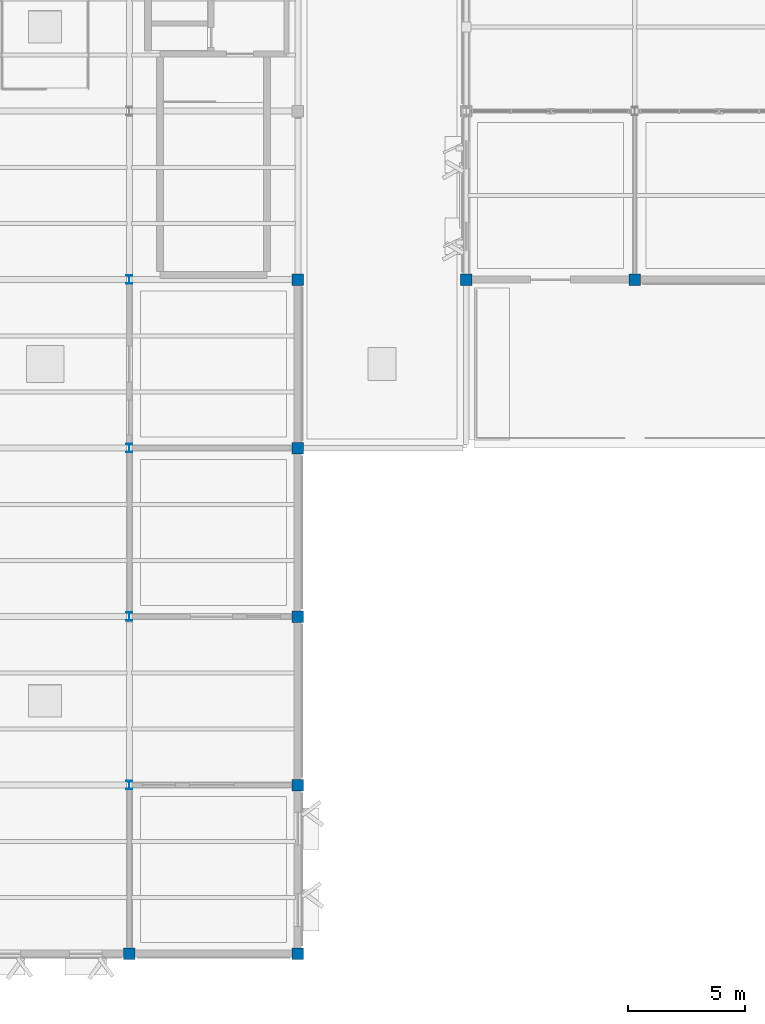
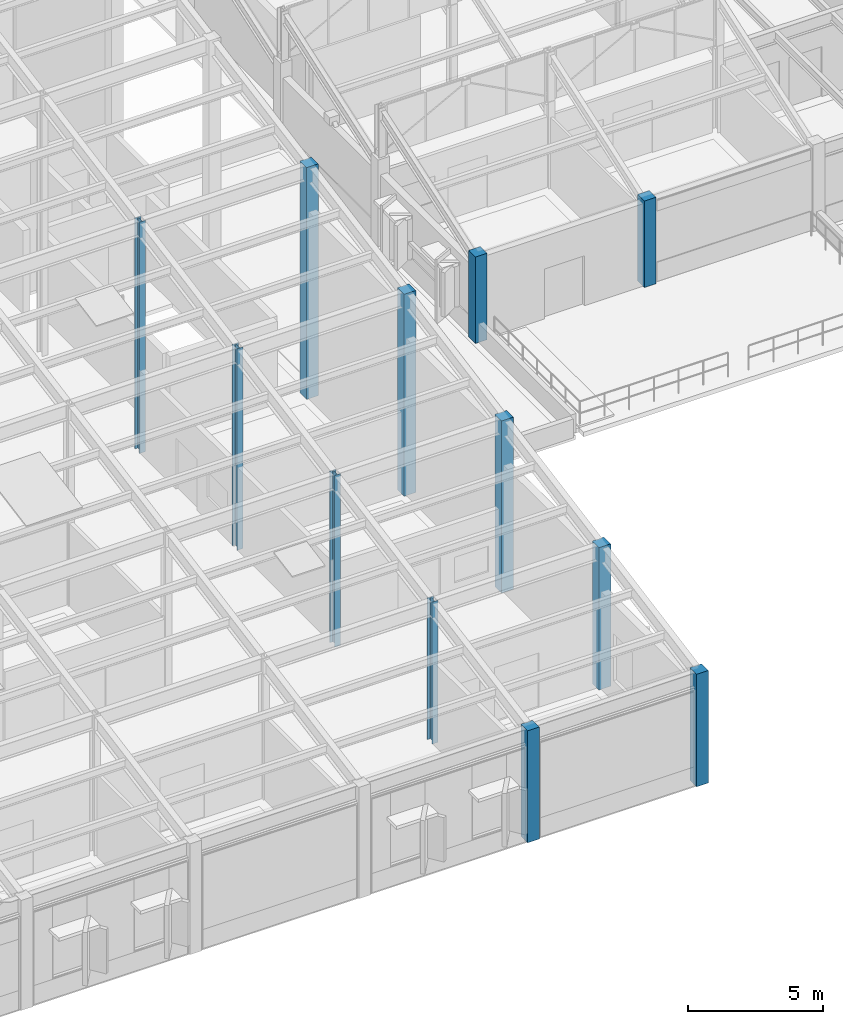
# One storey, part 5 of 82: 12 columns.
"""IFC4 building model written with IfcOpenShell, lengths in metres."""

from ifc_helpers import new_model, si_unit, direction, frame, origin, origin_2d, place, context, subcontext, project, spatial, rectangle, i_section, extrude, material, material_profile, profile_set, type_object, element, save


model = new_model("IFC4")

# Units and contexts
model_context = context("Model", 3, precision=1e-05, world=origin(), true_north=direction((0.0, 1.0)))
body_context = subcontext(model_context, "Body", "Model", "MODEL_VIEW")
ifc_project = project(units=[si_unit("LENGTHUNIT", "METRE"), si_unit("AREAUNIT", "SQUARE_METRE"), si_unit("VOLUMEUNIT", "CUBIC_METRE"), si_unit("PLANEANGLEUNIT", "RADIAN"), si_unit("MASSUNIT", "GRAM", prefix="KILO")], contexts=[model_context])

# Site, building, storey
site_placement = place(None, origin())
site = spatial("IfcSite", under=ifc_project, at=site_placement, CompositionType="ELEMENT")
building_placement = place(site_placement, origin())
building = spatial("IfcBuilding", under=site, at=building_placement, Name="Sillqori Civic Hall", CompositionType="ELEMENT")
storey_placement = place(building_placement, frame((0.0, 0.0, 14.10009765625)))
storey = spatial("IfcBuildingStorey", under=building, at=storey_placement, Name="L04", CompositionType="ELEMENT", Elevation=14.10009765625)

# Columns
ifc_material_1 = material(Name="Concrete C35/45 (H35)", Category="concrete")
ifc_material_profile_1 = material_profile(ifc_material_1, rectangle(XDim=0.5, YDim=0.5, at=origin_2d()), Name="RC 500x500")
ifc_profile_set_1 = profile_set([ifc_material_profile_1], Name="Concrete C35/45 (H35)")
column_type_1 = type_object("IfcColumnType", Name="COL-RC500", PredefinedType="COLUMN", material=ifc_profile_set_1)
column_1_placement = place(storey_placement, frame((108.0, 7.199951171875, 0.0), z_axis=(0.0, 0.0, 1.0), x_axis=(1.0, 0.0, 0.0)))
element("IfcColumn", 1, at=column_1_placement, inside=storey, type_object=column_type_1, Name="L04 column 15-1", PredefinedType="COLUMN", context=body_context, shape_type="SweptSolid", body=[
    extrude(rectangle(XDim=0.5, YDim=0.5, at=origin_2d()), origin(), (0.0, 0.0, 1.0), 5.047607421875),
])
column_2_placement = place(storey_placement, frame((115.199951171875, 7.199951171875, 0.0), z_axis=(0.0, 0.0, 1.0), x_axis=(1.0, 0.0, 0.0)))
element("IfcColumn", 2, at=column_2_placement, inside=storey, type_object=column_type_1, Name="L04 column 16-1", PredefinedType="COLUMN", context=body_context, shape_type="SweptSolid", body=[
    extrude(rectangle(XDim=0.5, YDim=0.5, at=origin_2d()), origin(), (0.0, 0.0, 1.0), 5.076171875),
])
column_3_placement = place(storey_placement, frame((115.199951171875, 14.39990234375, 0.0), z_axis=(0.0, 0.0, 1.0), x_axis=(1.0, 0.0, 0.0)))
element("IfcColumn", 3, at=column_3_placement, inside=storey, type_object=column_type_1, Name="L04 column 16-2", PredefinedType="COLUMN", context=body_context, shape_type="SweptSolid", body=[
    extrude(rectangle(XDim=0.5, YDim=0.5, at=origin_2d()), origin(), (0.0, 0.0, 1.0), 6.4189453125),
])
column_4_placement = place(storey_placement, frame((115.199951171875, 21.60009765625, 0.0), z_axis=(0.0, 0.0, 1.0), x_axis=(1.0, 0.0, 0.0)))
element("IfcColumn", 4, at=column_4_placement, inside=storey, type_object=column_type_1, Name="L04 column 16-3", PredefinedType="COLUMN", context=body_context, shape_type="SweptSolid", body=[
    extrude(rectangle(XDim=0.5, YDim=0.5, at=origin_2d()), origin(), (0.0, 0.0, 1.0), 7.76171875),
])
column_5_placement = place(storey_placement, frame((115.199951171875, 28.800048828125, 0.0), z_axis=(0.0, 0.0, 1.0), x_axis=(1.0, 0.0, 0.0)))
element("IfcColumn", 5, at=column_5_placement, inside=storey, type_object=column_type_1, Name="L04 column 16-4", PredefinedType="COLUMN", context=body_context, shape_type="SweptSolid", body=[
    extrude(rectangle(XDim=0.5, YDim=0.5, at=origin_2d()), origin(), (0.0, 0.0, 1.0), 9.104736328125),
])
column_6_placement = place(storey_placement, frame((115.199951171875, 36.0, 0.0), z_axis=(0.0, 0.0, 1.0), x_axis=(1.0, 0.0, 0.0)))
element("IfcColumn", 6, at=column_6_placement, inside=storey, type_object=column_type_1, Name="L04 column 16-5", PredefinedType="COLUMN", context=body_context, shape_type="SweptSolid", body=[
    extrude(rectangle(XDim=0.5, YDim=0.5, at=origin_2d()), origin(), (0.0, 0.0, 1.0), 10.447509765625),
])
for number, where, z_axis, x_axis, name in (
    (7, (122.39990234375, 36.0, 0.0), (0.0, 0.0, 1.0), (1.0, 0.0, 0.0), "L04 column 17-5"),
    (8, (129.60009765625, 36.0, 0.0), (0.0, 0.0, 1.0), (1.0, 0.0, 0.0), "L04 column 18-5"),
):
    element("IfcColumn", number, at=place(storey_placement, frame(where, z_axis=z_axis, x_axis=x_axis)), inside=storey, type_object=column_type_1, Name=name, PredefinedType="COLUMN", context=body_context, shape_type="SweptSolid", body=[
        extrude(rectangle(XDim=0.5, YDim=0.5, at=origin_2d()), origin(), (0.0, 0.0, 1.0), 3.89990234375),
    ])
ifc_material_2 = material(Name="Steel ASTM A992", Category="steel")
ifc_material_profile_2 = material_profile(ifc_material_2, i_section(OverallWidth=0.257080078125, OverallDepth=0.363037109375, WebThickness=0.012939453125, FlangeThickness=0.021728515625, FilletRadius=0.014892578125, at=origin_2d()), Name="W14X82")
ifc_profile_set_2 = profile_set([ifc_material_profile_2], Name="Steel ASTM A992")
column_type_2 = type_object("IfcColumnType", Name="COL-W14X82", PredefinedType="COLUMN", material=ifc_profile_set_2)
column_7_placement = place(storey_placement, frame((108.0, 14.39990234375, 0.0), z_axis=(0.0, 0.0, 1.0), x_axis=(1.0, 0.0, 0.0)))
element("IfcColumn", 9, at=column_7_placement, inside=storey, type_object=column_type_2, Name="L04 column 15-2", PredefinedType="COLUMN", context=body_context, shape_type="SweptSolid", body=[
    extrude(i_section(OverallWidth=0.257080078125, OverallDepth=0.363037109375, WebThickness=0.012939453125, FlangeThickness=0.021728515625, FilletRadius=0.014892578125, at=origin_2d()), origin(), (0.0, 0.0, 1.0), 6.390380859375),
])
column_8_placement = place(storey_placement, frame((108.0, 21.60009765625, 0.0), z_axis=(0.0, 0.0, 1.0), x_axis=(1.0, 0.0, 0.0)))
element("IfcColumn", 10, at=column_8_placement, inside=storey, type_object=column_type_2, Name="L04 column 15-3", PredefinedType="COLUMN", context=body_context, shape_type="SweptSolid", body=[
    extrude(i_section(OverallWidth=0.257080078125, OverallDepth=0.363037109375, WebThickness=0.012939453125, FlangeThickness=0.021728515625, FilletRadius=0.014892578125, at=origin_2d()), origin(), (0.0, 0.0, 1.0), 7.733154296875),
])
column_9_placement = place(storey_placement, frame((108.0, 28.800048828125, 0.0), z_axis=(0.0, 0.0, 1.0), x_axis=(1.0, 0.0, 0.0)))
element("IfcColumn", 11, at=column_9_placement, inside=storey, type_object=column_type_2, Name="L04 column 15-4", PredefinedType="COLUMN", context=body_context, shape_type="SweptSolid", body=[
    extrude(i_section(OverallWidth=0.257080078125, OverallDepth=0.363037109375, WebThickness=0.012939453125, FlangeThickness=0.021728515625, FilletRadius=0.014892578125, at=origin_2d()), origin(), (0.0, 0.0, 1.0), 9.076171875),
])
column_10_placement = place(storey_placement, frame((108.0, 36.0, 0.0), z_axis=(0.0, 0.0, 1.0), x_axis=(1.0, 0.0, 0.0)))
element("IfcColumn", 12, at=column_10_placement, inside=storey, type_object=column_type_2, Name="L04 column 15-5", PredefinedType="COLUMN", context=body_context, shape_type="SweptSolid", body=[
    extrude(i_section(OverallWidth=0.257080078125, OverallDepth=0.363037109375, WebThickness=0.012939453125, FlangeThickness=0.021728515625, FilletRadius=0.014892578125, at=origin_2d()), origin(), (0.0, 0.0, 1.0), 10.4189453125),
])

save(model, "model.ifc")
